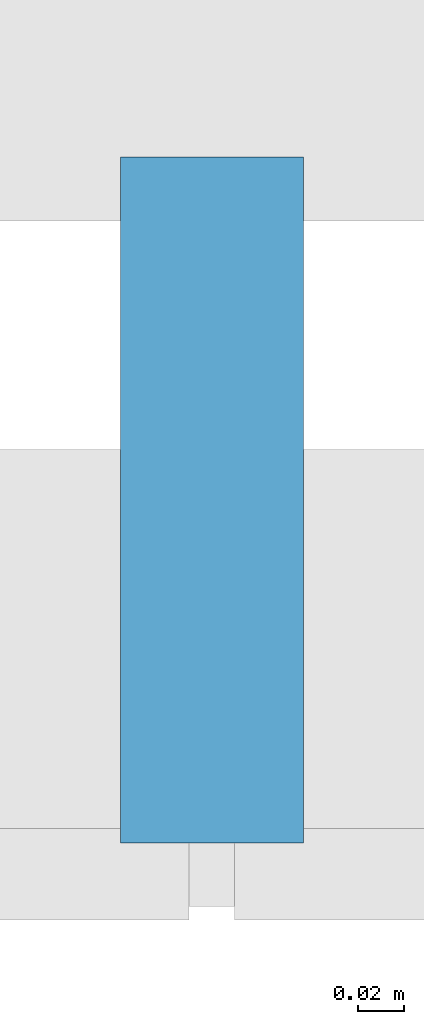
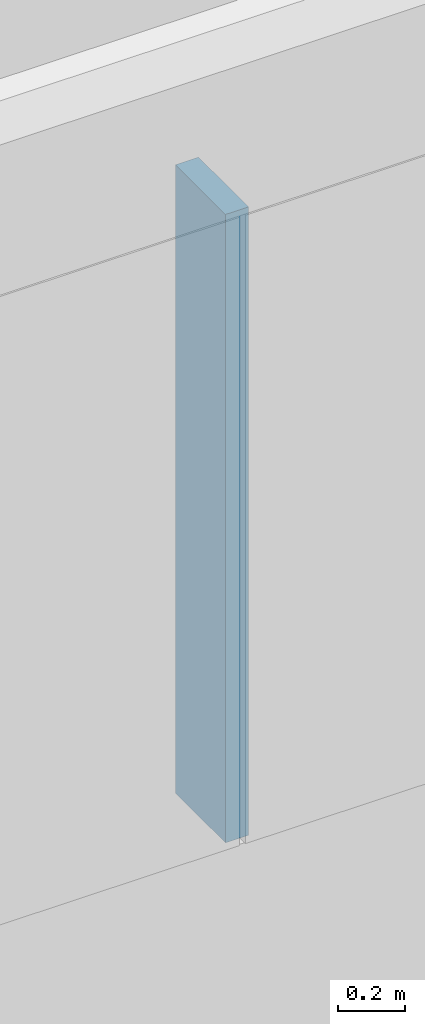
# One storey, part 15 of 42: 1 member, 1 element without a shape of its own.
"""IFC4 building model written with IfcOpenShell, lengths in metres."""

from ifc_helpers import new_model, si_unit, direction, frame, origin, origin_2d, place, context, subcontext, project, spatial, rectangle, extrude, material, layer, layer_set, material_profile, profile_set, type_object, element, aggregate, save


model = new_model("IFC4")

# Units and contexts
model_context = context("Model", 3, precision=1e-05, world=origin(), true_north=direction((0.0, 1.0)))
body_context = subcontext(model_context, "Body", "Model", "MODEL_VIEW")
ifc_project = project(units=[si_unit("LENGTHUNIT", "METRE"), si_unit("AREAUNIT", "SQUARE_METRE"), si_unit("VOLUMEUNIT", "CUBIC_METRE"), si_unit("PLANEANGLEUNIT", "RADIAN"), si_unit("MASSUNIT", "GRAM", prefix="KILO")], contexts=[model_context])

# Site, building, storey
site_placement = place(None, origin())
site = spatial("IfcSite", under=ifc_project, at=site_placement, CompositionType="ELEMENT")
building_placement = place(site_placement, origin())
building = spatial("IfcBuilding", under=site, at=building_placement, Name="Hakoniwa Tower and Hamabe Station Hall", CompositionType="ELEMENT")
storey_placement = place(building_placement, frame((0.0, 0.0, 19.800048828125)))
storey = spatial("IfcBuildingStorey", under=building, at=storey_placement, Name="L04", CompositionType="ELEMENT", Elevation=19.800048828125)

# Curtain wall, member
ifc_material_1 = material(Name="Dark low-e laminated glass", Category="glass")
ifc_layer = layer(ifc_material_1, 0.199951171875)
ifc_layer_set = layer_set([ifc_layer], Name="CW-7 STATION")
curtain_wall_type = type_object("IfcCurtainWallType", Name="CW-7 STATION", PredefinedType="NOTDEFINED", material=ifc_layer_set)
curtain_wall_placement = place(storey_placement, origin())
curtain_wall = element("IfcCurtainWall", 1, at=curtain_wall_placement, inside=storey, type_object=curtain_wall_type, Name="Station curtain wall L04 south", PredefinedType="NOTDEFINED")
ifc_material_2 = material(Name="Aluminium 6063-T5 black anodised", Category="aluminium")
ifc_material_profile = material_profile(ifc_material_2, rectangle(XDim=0.080078125, YDim=0.300048828125, at=origin_2d()), Name="CW-3 MULLION 80X300")
ifc_profile_set = profile_set([ifc_material_profile], Name="Aluminium 6063-T5 black anodised")
member_type = type_object("IfcMemberType", Name="CW-3 MULLION 80X300", PredefinedType="MULLION", material=ifc_profile_set)
member_placement = place(storey_placement, frame((135.8701171875, -24.1220703125, 0.349853515625), z_axis=(0.0, 0.0, 1.0), x_axis=(1.0, 0.0, 0.0)))
member = element("IfcMember", 2, at=member_placement, type_object=member_type, Name="CW-7 mullion", PredefinedType="MULLION", context=body_context, shape_type="SweptSolid", body=[
    extrude(rectangle(XDim=0.080078125, YDim=0.300048828125, at=origin_2d()), origin(), (0.0, 0.0, 1.0), 2.300048828125),
])
aggregate(curtain_wall, [member])

save(model, "model.ifc")
